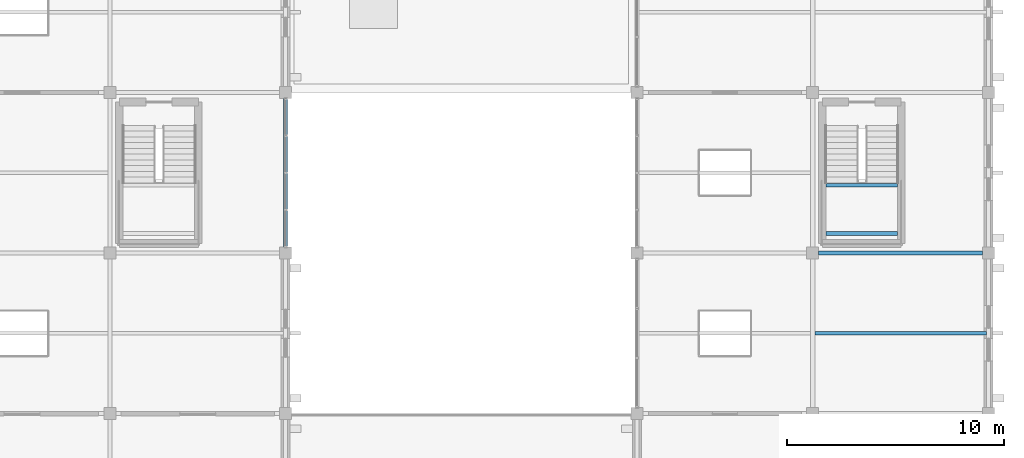
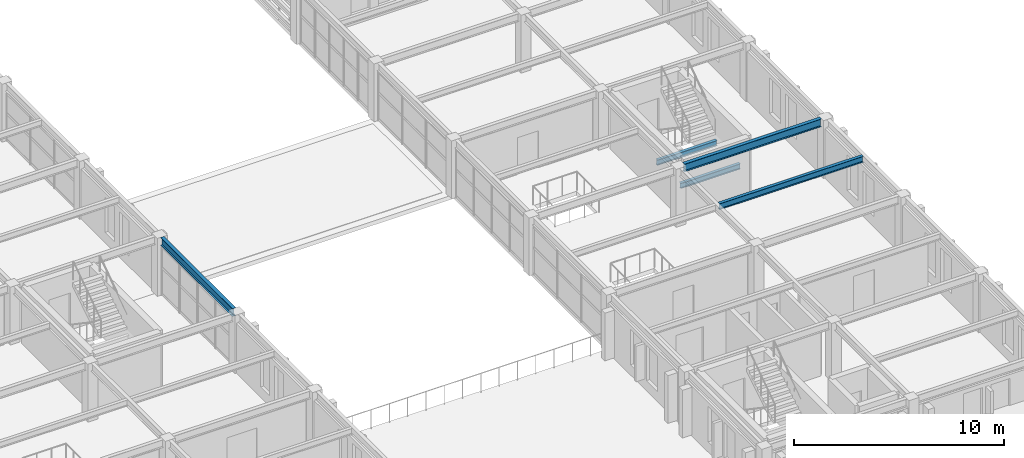
# One storey, part 79 of 121: 5 beams.
"""IFC4 building model written with IfcOpenShell, lengths in metres."""

from ifc_helpers import new_model, si_unit, direction, frame, origin, origin_2d, place, context, subcontext, project, spatial, i_section, extrude, material, material_profile, profile_set, type_object, element, save


model = new_model("IFC4")

# Units and contexts
model_context = context("Model", 3, precision=1e-05, world=origin(), true_north=direction((0.0, 1.0)))
body_context = subcontext(model_context, "Body", "Model", "MODEL_VIEW")
ifc_project = project(units=[si_unit("LENGTHUNIT", "METRE"), si_unit("AREAUNIT", "SQUARE_METRE"), si_unit("VOLUMEUNIT", "CUBIC_METRE"), si_unit("PLANEANGLEUNIT", "RADIAN"), si_unit("MASSUNIT", "GRAM", prefix="KILO")], contexts=[model_context])

# Site, building, storey
site_placement = place(None, origin())
site = spatial("IfcSite", under=ifc_project, at=site_placement, CompositionType="ELEMENT")
building_placement = place(site_placement, origin())
building = spatial("IfcBuilding", under=site, at=building_placement, Name="Cimatlan Art Gallery", CompositionType="ELEMENT")
storey_placement = place(building_placement, frame((0.0, 0.0, 10.199951171875)))
storey = spatial("IfcBuildingStorey", under=building, at=storey_placement, Name="L02", CompositionType="ELEMENT", Elevation=10.199951171875)

# Beams
ifc_material = material(Name="Steel ASTM A992 Grade 50", Category="steel")
ifc_material_profile_1 = material_profile(ifc_material, i_section(OverallWidth=0.1650390625, OverallDepth=0.31005859375, WebThickness=0.005859375, FlangeThickness=0.009765625, at=origin_2d()), Name="W12X26")
ifc_profile_set_1 = profile_set([ifc_material_profile_1], Name="Steel ASTM A992 Grade 50")
beam_type_1 = type_object("IfcBeamType", Name="BM-STL-W12X26", PredefinedType="JOIST", material=ifc_profile_set_1)
for number, where, z_axis, x_axis, name in (
    (1, (156.514892578125, 47.0, 1.425048828125), (1.0, 0.0, 0.0), (0.0, 1.0, 0.0), "BM-STR-C10-L02-LH1"),
    (2, (156.514892578125, 49.22998046875, 1.425048828125), (1.0, 0.0, 0.0), (0.0, 1.0, 0.0), "BM-STR-C10-L02-LH2"),
):
    element("IfcBeam", number, at=place(storey_placement, frame(where, z_axis=z_axis, x_axis=x_axis)), inside=storey, type_object=beam_type_1, Name=name, PredefinedType="JOIST", context=body_context, shape_type="SweptSolid", body=[
        extrude(i_section(OverallWidth=0.1650390625, OverallDepth=0.31005859375, WebThickness=0.005859375, FlangeThickness=0.009765625, at=origin_2d()), origin(), (0.0, 0.0, 1.0), 3.2900390625),
    ])
ifc_material_profile_2 = material_profile(ifc_material, i_section(OverallWidth=0.1708984375, OverallDepth=0.35107421875, WebThickness=0.0068359375, FlangeThickness=0.009765625, at=origin_2d()), Name="W14X30")
ifc_profile_set_2 = profile_set([ifc_material_profile_2], Name="Steel ASTM A992 Grade 50")
beam_type_2 = type_object("IfcBeamType", Name="BM-STL-W14X30", PredefinedType="JOIST", material=ifc_profile_set_2)
beam_1_placement = place(storey_placement, frame((155.99560546875, 42.39990234375, 3.194580078125), z_axis=(1.0, 0.0, 0.0), x_axis=(0.0, 1.0, 0.0)))
element("IfcBeam", 3, at=beam_1_placement, inside=storey, type_object=beam_type_2, Name="JST-L02-19-05", PredefinedType="JOIST", context=body_context, shape_type="SweptSolid", body=[
    extrude(i_section(OverallWidth=0.1708984375, OverallDepth=0.35107421875, WebThickness=0.0068359375, FlangeThickness=0.009765625, at=origin_2d()), origin(), (0.0, 0.0, 1.0), 7.908935546875),
])
ifc_material_profile_3 = material_profile(ifc_material, i_section(OverallWidth=0.19091796875, OverallDepth=0.45703125, WebThickness=0.009033203125, FlangeThickness=0.014404296875, at=origin_2d()), Name="W18X50")
ifc_profile_set_3 = profile_set([ifc_material_profile_3], Name="Steel ASTM A992 Grade 50")
beam_type_3 = type_object("IfcBeamType", Name="BM-STL-W18X50", PredefinedType="BEAM", material=ifc_profile_set_3)
beam_2_placement = place(storey_placement, frame((131.60009765625, 46.375, 3.1416015625), z_axis=(0.0, 1.0, 0.0), x_axis=(-1.0, 0.0, 0.0)))
element("IfcBeam", 4, at=beam_2_placement, inside=storey, type_object=beam_type_3, Name="BM-Y-L02-16-06", PredefinedType="BEAM", context=body_context, shape_type="SweptSolid", body=[
    extrude(i_section(OverallWidth=0.19091796875, OverallDepth=0.45703125, WebThickness=0.009033203125, FlangeThickness=0.014404296875, at=origin_2d()), origin(), (0.0, 0.0, 1.0), 6.85009765625),
])
beam_3_placement = place(storey_placement, frame((156.175048828125, 46.10009765625, 3.1416015625), z_axis=(1.0, 0.0, 0.0), x_axis=(0.0, 1.0, 0.0)))
element("IfcBeam", 5, at=beam_3_placement, inside=storey, type_object=beam_type_3, Name="BM-X-L02-19-06", PredefinedType="BEAM", context=body_context, shape_type="SweptSolid", body=[
    extrude(i_section(OverallWidth=0.19091796875, OverallDepth=0.45703125, WebThickness=0.009033203125, FlangeThickness=0.014404296875, at=origin_2d()), origin(), (0.0, 0.0, 1.0), 7.550048828125),
])

save(model, "model.ifc")
